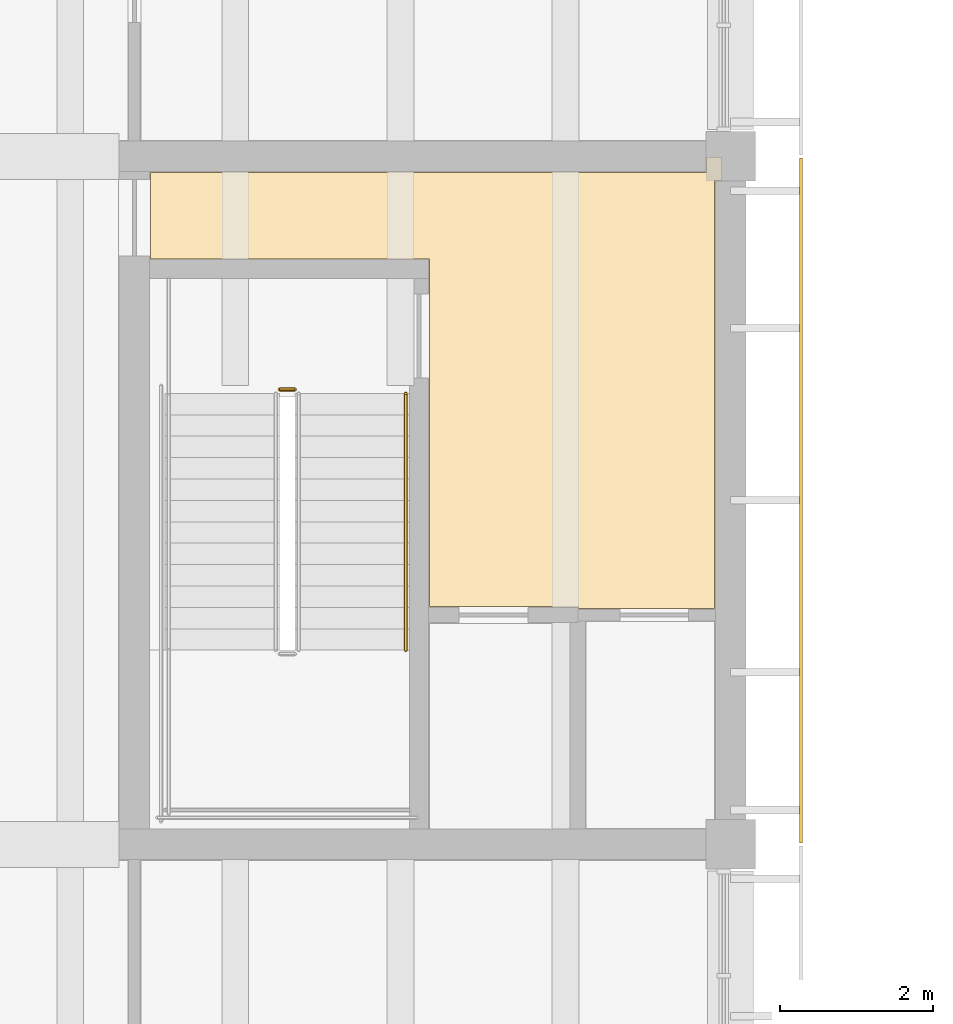
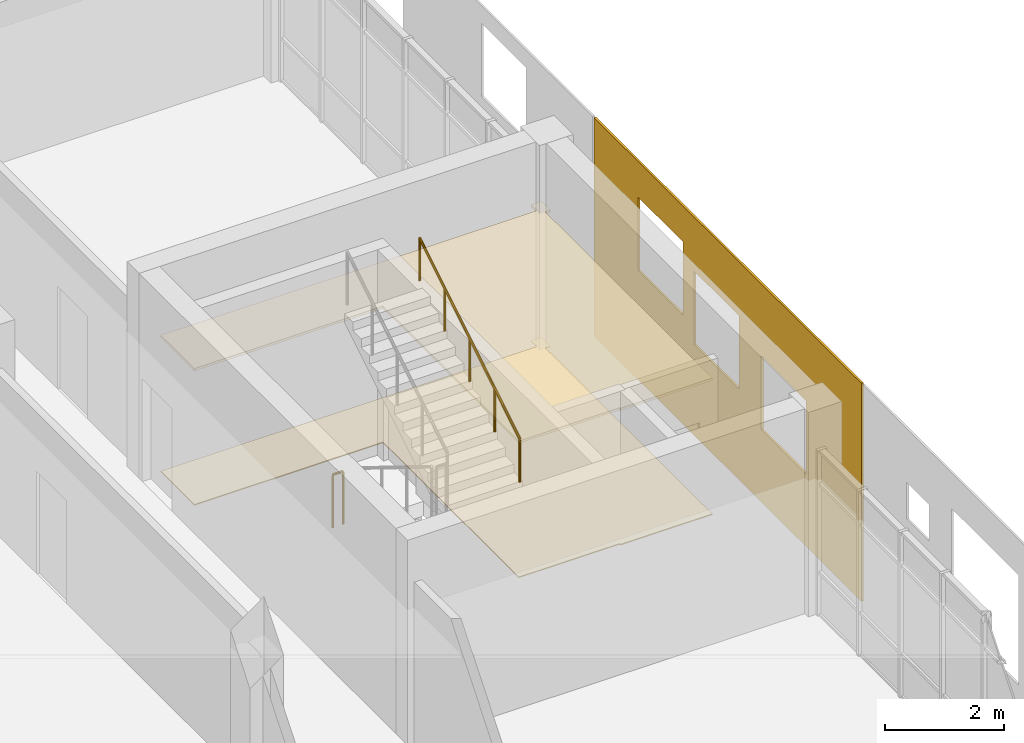
# One storey, part 79 of 92: 3 coverings, 2 railings.
"""IFC4 building model written with IfcOpenShell, lengths in metres."""

from ifc_helpers import new_model, si_unit, direction, frame, origin, origin_2d, place, context, subcontext, project, spatial, polyline, circle, outline, extrude, source, transform, mapped, material, layer, layer_set, type_object, element, save


model = new_model("IFC4")

# Units and contexts
model_context = context("Model", 3, precision=1e-05, world=origin(), true_north=direction((0.0, 1.0)))
body_context = subcontext(model_context, "Body", "Model", "MODEL_VIEW")
ifc_project = project(units=[si_unit("LENGTHUNIT", "METRE"), si_unit("AREAUNIT", "SQUARE_METRE"), si_unit("VOLUMEUNIT", "CUBIC_METRE"), si_unit("PLANEANGLEUNIT", "RADIAN"), si_unit("MASSUNIT", "GRAM", prefix="KILO")], contexts=[model_context])

# Site, building, storey
site_placement = place(None, origin())
site = spatial("IfcSite", under=ifc_project, at=site_placement, CompositionType="ELEMENT")
building_placement = place(site_placement, origin())
building = spatial("IfcBuilding", under=site, at=building_placement, Name="Merrow Basin Faculty of Sciences", CompositionType="ELEMENT")
storey_placement = place(building_placement, frame((0.0, 0.0, 4.5)))
storey = spatial("IfcBuildingStorey", under=building, at=storey_placement, Name="L01", CompositionType="ELEMENT", Elevation=4.5)

# Covering
ifc_material_1 = material(Name="Polished terrazzo floor")
ifc_layer_1 = layer(ifc_material_1, 0.02001953125)
ifc_layer_set_1 = layer_set([ifc_layer_1], Name="Polished terrazzo floor")
covering_type_1 = type_object("IfcCoveringType", Name="Polished terrazzo floor", PredefinedType="FLOORING", material=ifc_layer_set_1)
covering_1_placement = place(storey_placement, origin())
element("IfcCovering", 1, at=covering_1_placement, inside=storey, type_object=covering_type_1, Name="Floor finish L01-B-007", PredefinedType="FLOORING", context=body_context, shape_type="SweptSolid", body=[
    extrude(outline(polyline([(21.389892578125, 91.0849609375), (19.610107421875, 91.0849609375), (19.610107421875, 91.110107421875), (17.659912109375, 91.110107421875), (17.659912109375, 95.659912109375), (14.010009765625, 95.659912109375), (14.010009765625, 96.7900390625), (21.284912109375, 96.7900390625), (21.284912109375, 96.989990234375), (21.489990234375, 96.989990234375), (21.489990234375, 96.68505859375), (21.389892578125, 96.68505859375), (21.389892578125, 91.0849609375)])), origin(), (0.0, 0.0, 1.0), 0.02001953125),
])

# Railings
ifc_material_2 = material(Name="Steel ASTM A36", Category="steel")
railing_type_1 = type_object("IfcRailingType", Name="Steel guard 1100", PredefinedType="GUARDRAIL", material=ifc_material_2)
railing_1_placement = place(storey_placement, frame((15.699951171875, 93.949951171875, 0.0)))
element("IfcRailing", 2, at=railing_1_placement, inside=storey, type_object=railing_type_1, Name="L01 ST-V4-M stair guard 6", PredefinedType="GUARDRAIL", context=body_context, shape_type="SweptSolid", body=[
    extrude(circle(Radius=0.02392578125, at=origin_2d()), frame((0.0, 0.0, 1.076171875), z_axis=(1.0, 0.0, 0.0), x_axis=(0.0, 1.0, 0.0)), (0.0, 0.0, 1.0), 0.199951171875),
    extrude(circle(Radius=0.02099609375, at=origin_2d()), origin(), (0.0, 0.0, 1.0), 1.052001953125),
    extrude(circle(Radius=0.02099609375, at=origin_2d()), frame((0.199951171875, 0.0, 0.0)), (0.0, 0.0, 1.0), 1.052001953125),
])
ifc_material_3 = material(Name="Steel ASTM A36", Category="steel")
railing_type_2 = type_object("IfcRailingType", Name="Steel handrail 900", PredefinedType="HANDRAIL", material=ifc_material_3)
railing_2_placement = place(storey_placement, frame((17.35009765625, 90.5400390625, 2.423095703125)))
element("IfcRailing", 3, at=railing_2_placement, inside=storey, type_object=railing_type_2, Name="L01 ST-V4-M stair handrail 2", PredefinedType="HANDRAIL", context=body_context, shape_type="SweptSolid", body=[
    extrude(circle(Radius=0.02392578125, at=origin_2d()), frame((0.0, 0.0, 0.8759765625), z_axis=(0.0, 0.850606129759, 0.525803396734), x_axis=(-1.0, 0.0, 0.0)), (0.0, 0.0, 1.0), 3.949951171875),
    extrude(circle(Radius=0.02099609375, at=origin_2d()), origin(), (0.0, 0.0, 1.0), 0.851806640625),
    extrude(circle(Radius=0.02099609375, at=origin_2d()), frame((0.0, 0.83984375, 0.519287109375)), (0.0, 0.0, 1.0), 0.851806640625),
    extrude(circle(Radius=0.02099609375, at=origin_2d()), frame((0.0, 1.679931640625, 1.03857421875)), (0.0, 0.0, 1.0), 0.851806640625),
    extrude(circle(Radius=0.02099609375, at=origin_2d()), frame((0.0, 2.52001953125, 1.5576171875)), (0.0, 0.0, 1.0), 0.851806640625),
    extrude(circle(Radius=0.02099609375, at=origin_2d()), frame((0.0, 3.35986328125, 2.076904296875)), (0.0, 0.0, 1.0), 0.851806640625),
])

# Coverings
ifc_material_4 = material(Name="Mineral fibre ceiling tile")
ifc_layer_2 = layer(ifc_material_4, 0.050048828125)
ifc_layer_set_2 = layer_set([ifc_layer_2], Name="Suspended acoustic ceiling tile")
covering_type_2 = type_object("IfcCoveringType", Name="Suspended acoustic ceiling tile", PredefinedType="CEILING", material=ifc_layer_set_2)
covering_2_placement = place(storey_placement, frame((0.0, 0.0, 2.75)))
element("IfcCovering", 4, at=covering_2_placement, inside=storey, type_object=covering_type_2, Name="Ceiling L01-B-007", PredefinedType="CEILING", context=body_context, shape_type="SweptSolid", body=[
    extrude(outline(polyline([(21.389892578125, 91.0849609375), (19.610107421875, 91.0849609375), (19.610107421875, 91.110107421875), (17.659912109375, 91.110107421875), (17.659912109375, 95.659912109375), (14.010009765625, 95.659912109375), (14.010009765625, 96.7900390625), (21.284912109375, 96.7900390625), (21.284912109375, 96.989990234375), (21.489990234375, 96.989990234375), (21.489990234375, 96.68505859375), (21.389892578125, 96.68505859375), (21.389892578125, 91.0849609375)])), origin(), (0.0, 0.0, 1.0), 0.050048828125),
])
ifc_material_5 = material(Name="White powder-coated aluminium", Category="aluminium")
ifc_layer_3 = layer(ifc_material_5, 0.0400390625)
ifc_layer_set_3 = layer_set([ifc_layer_3], Name="Perforated panel 9000 x 4500")
covering_type_3 = type_object("IfcCoveringType", Name="Perforated panel 9000 x 4500", PredefinedType="CLADDING", material=ifc_layer_set_3)
shared_shape = source(origin(), body_context, "Body", "SweptSolid", [
    extrude(outline(polyline([(0.02001953125, 0.02001953125), (8.97998046875, 0.02001953125), (8.97998046875, 4.47998046875), (0.02001953125, 4.47998046875), (0.02001953125, 0.02001953125)]), holes=[polyline([(5.625, 1.5), (7.125, 1.5), (7.125, 3.0), (5.625, 3.0), (5.625, 1.5)]), polyline([(3.375, 1.875), (4.875, 1.875), (4.875, 3.375), (3.375, 3.375), (3.375, 1.875)]), polyline([(1.5, 2.25), (3.0, 2.25), (3.0, 3.75), (1.5, 3.75), (1.5, 2.25)])]), origin(), (0.0, 0.0, 1.0), 0.0400390625),
])
covering_3_placement = place(storey_placement, frame((22.5400390625, 97.0, -0.320068359375), z_axis=(-1.0, 0.0, 0.0), x_axis=(0.0, -1.0, 0.0)))
element("IfcCovering", 5, at=covering_3_placement, inside=storey, type_object=covering_type_3, Name="Perforated panel EL01-04", PredefinedType="CLADDING", context=body_context, shape_type="MappedRepresentation", body=[
    mapped(shared_shape, transform((0.0, 0.0, 0.0), scale=1.0)),
])

save(model, "model.ifc")
